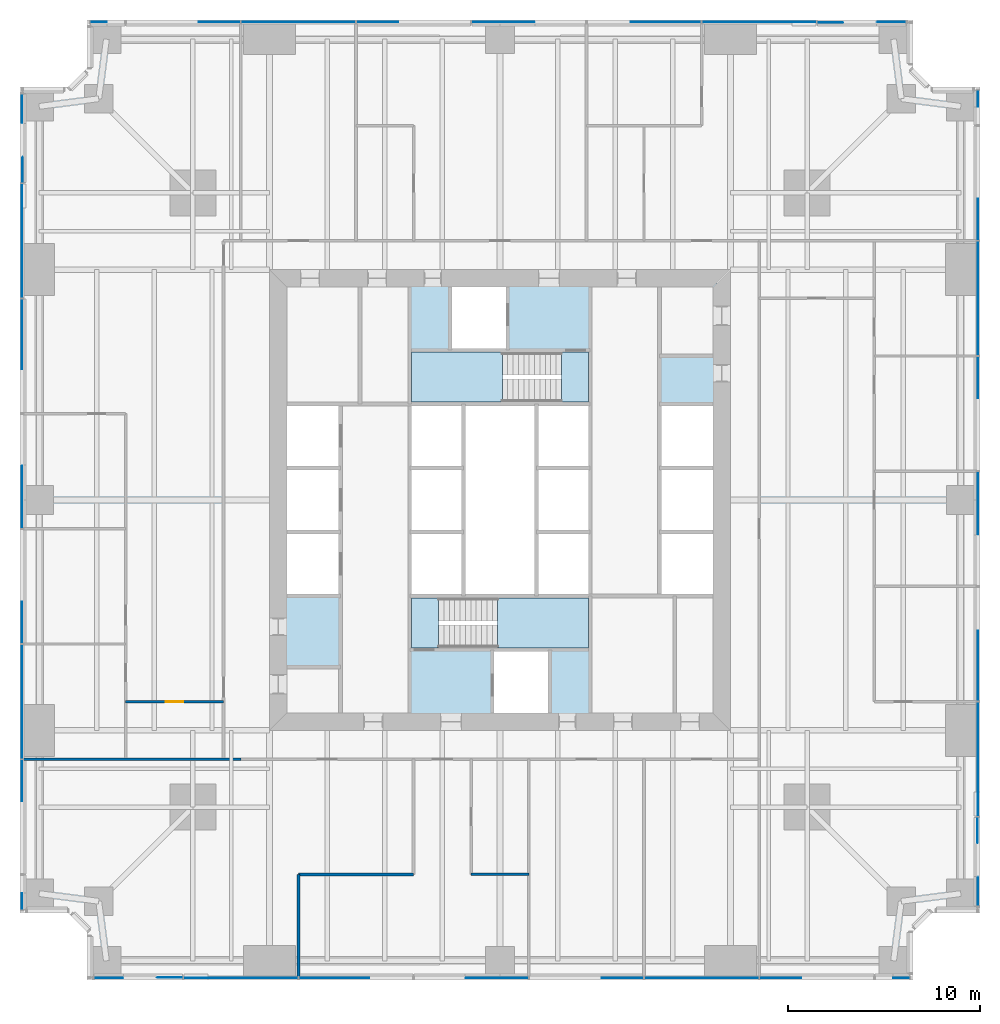
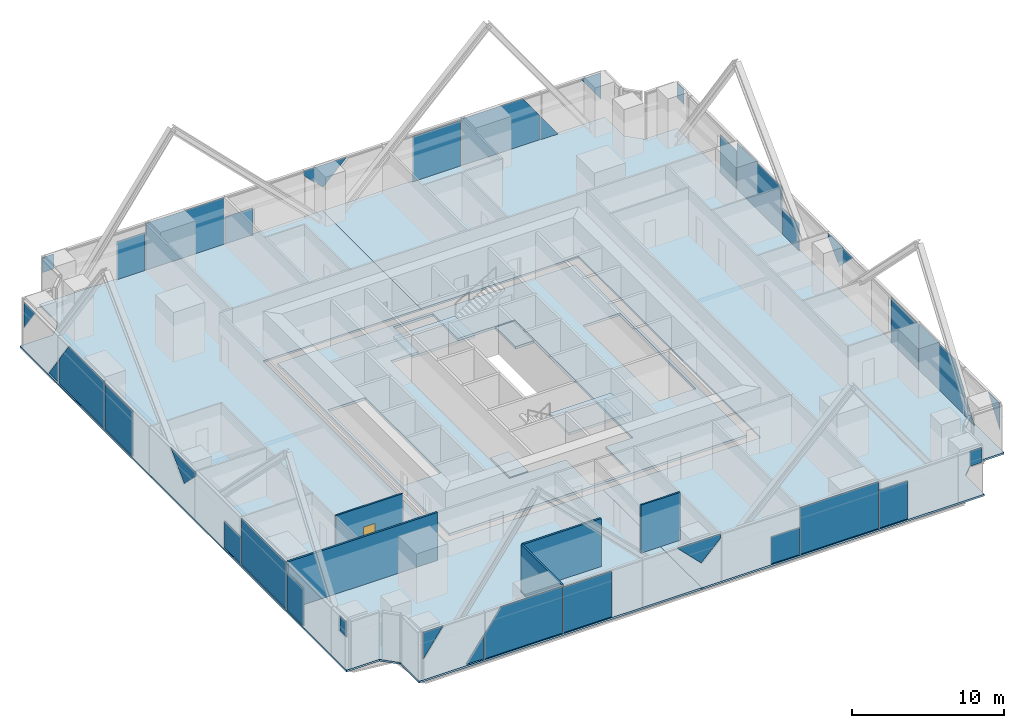
# One storey, part 8 of 13: 36 plates, 7 slabs, 5 walls, 1 door, 1 opening, 6 elements without a shape of their own.
"""IFC4 building model written with IfcOpenShell, lengths in metres."""

from ifc_helpers import new_model, si_unit, direction, frame, frame_2d, origin, origin_2d, place, context, subcontext, project, spatial, polyline, rectangle, outline, extrude, material, layer, layer_set, type_object, element, fill, aggregate, save


model = new_model("IFC4")

# Units and contexts
model_context = context("Model", 3, precision=1e-05, world=origin(), true_north=direction((0.0, 1.0)))
body_context = subcontext(model_context, "Body", "Model", "MODEL_VIEW")
ifc_project = project(units=[si_unit("LENGTHUNIT", "METRE"), si_unit("AREAUNIT", "SQUARE_METRE"), si_unit("VOLUMEUNIT", "CUBIC_METRE"), si_unit("PLANEANGLEUNIT", "RADIAN"), si_unit("MASSUNIT", "GRAM", prefix="KILO")], contexts=[model_context])

# Site, building, storey
site_placement = place(None, origin())
site = spatial("IfcSite", under=ifc_project, at=site_placement, CompositionType="ELEMENT")
building_placement = place(site_placement, origin())
building = spatial("IfcBuilding", under=site, at=building_placement, Name="Fenwick Lantern Interchange", CompositionType="ELEMENT")
storey_placement = place(building_placement, frame((0.0, 0.0, 43.0)))
storey = spatial("IfcBuildingStorey", under=building, at=storey_placement, Name="L09", CompositionType="ELEMENT", Elevation=43.0)

# Slabs
ifc_material_1 = material(Name="Concrete f'c 35 MPa", Category="concrete")
ifc_layer_1 = layer(ifc_material_1, 0.199951171875)
ifc_layer_set_1 = layer_set([ifc_layer_1], Name="CORE FLOOR SLAB 200")
slab_type_1 = type_object("IfcSlabType", Name="CORE FLOOR SLAB 200", PredefinedType="FLOOR", material=ifc_layer_set_1)
slab_1_placement = place(storey_placement, frame((0.0, 0.0, -0.199951171875)))
element("IfcSlab", 1, at=slab_1_placement, inside=storey, type_object=slab_type_1, Name="L09/SLAB/CORE", PredefinedType="FLOOR", context=body_context, shape_type="SweptSolid", body=[
    extrude(outline(polyline([(13.699951171875, 36.300048828125), (36.300048828125, 36.300048828125), (36.300048828125, 13.699951171875), (13.699951171875, 13.699951171875), (13.699951171875, 36.300048828125)]), holes=[polyline([(13.89990234375, 20.0), (16.699951171875, 20.0), (16.699951171875, 23.333251953125), (16.699951171875, 26.666748046875), (16.699951171875, 30.0), (13.89990234375, 30.0), (13.89990234375, 26.666748046875), (13.89990234375, 23.333251953125), (13.89990234375, 20.0)]), polyline([(20.300048828125, 20.0), (20.300048828125, 17.199951171875), (24.60009765625, 17.199951171875), (24.60009765625, 13.89990234375), (27.60009765625, 13.89990234375), (27.60009765625, 17.199951171875), (29.699951171875, 17.199951171875), (29.699951171875, 20.0), (29.699951171875, 23.333251953125), (29.699951171875, 26.666748046875), (29.699951171875, 30.0), (29.699951171875, 32.800048828125), (25.39990234375, 32.800048828125), (25.39990234375, 36.10009765625), (22.39990234375, 36.10009765625), (22.39990234375, 32.800048828125), (20.300048828125, 32.800048828125), (20.300048828125, 30.0), (20.300048828125, 26.666748046875), (20.300048828125, 23.333251953125), (20.300048828125, 20.0)]), polyline([(33.300048828125, 23.333251953125), (33.300048828125, 20.0), (36.10009765625, 20.0), (36.10009765625, 23.333251953125), (36.10009765625, 26.666748046875), (36.10009765625, 30.0), (33.300048828125, 30.0), (33.300048828125, 26.666748046875), (33.300048828125, 23.333251953125)])]), origin(), (0.0, 0.0, 1.0), 0.199951171875),
])
ifc_material_2 = material(Name="Concrete f'c 35 MPa", Category="concrete")
ifc_layer_2 = layer(ifc_material_2, 0.14990234375)
ifc_layer_set_2 = layer_set([ifc_layer_2], Name="Concrete f'c 35 MPa")
slab_type_2 = type_object("IfcSlabType", Name="FLOOR SLAB 150", PredefinedType="FLOOR", material=ifc_layer_set_2)
slab_2_placement = place(storey_placement, frame((0.0, 0.0, -0.14990234375)))
element("IfcSlab", 2, at=slab_2_placement, inside=storey, type_object=slab_type_2, Name="L09/SLAB/FW", PredefinedType="FLOOR", context=body_context, shape_type="SweptSolid", body=[
    extrude(outline(polyline([(3.5, 0.0), (3.5, 2.5), (2.5, 3.5), (0.0, 3.5), (0.0, 46.5), (2.5, 46.5), (3.5, 47.5), (3.5, 50.0), (25.0, 50.0), (25.0, 37.0), (13.0, 37.0), (13.0, 13.0), (25.0, 13.0), (25.0, 0.0), (3.5, 0.0)])), origin(), (0.0, 0.0, 1.0), 0.14990234375),
])
slab_3_placement = place(storey_placement, frame((0.0, 0.0, -0.14990234375)))
element("IfcSlab", 3, at=slab_3_placement, inside=storey, type_object=slab_type_2, Name="L09/SLAB/FE", PredefinedType="FLOOR", context=body_context, shape_type="SweptSolid", body=[
    extrude(outline(polyline([(46.5, 50.0), (46.5, 47.5), (47.5, 46.5), (50.0, 46.5), (50.0, 3.5), (47.5, 3.5), (46.5, 2.5), (46.5, 0.0), (25.0, 0.0), (25.0, 13.0), (37.0, 13.0), (37.0, 37.0), (25.0, 37.0), (25.0, 50.0), (46.5, 50.0)])), origin(), (0.0, 0.0, 1.0), 0.14990234375),
])

# Curtain wall, plates
ifc_material_3 = material(Name="Aluminium curtain wall frame", Category="aluminium")
curtain_wall_type = type_object("IfcCurtainWallType", Name="OFFICE CURTAIN WALL", PredefinedType="USERDEFINED", material=ifc_material_3)
curtain_wall_1_placement = place(storey_placement, origin())
curtain_wall_1 = element("IfcCurtainWall", 4, at=curtain_wall_1_placement, inside=storey, type_object=curtain_wall_type, Name="Office curtain wall 01", ObjectType="OFFICE CURTAIN WALL", PredefinedType="USERDEFINED")
ifc_material_4 = material(Name="Vision glass, clear low-iron double glazed", Category="glass")
ifc_layer_3 = layer(ifc_material_4, 0.031982421875)
ifc_layer_set_3 = layer_set([ifc_layer_3], Name="OFFICE CURTAIN WALL PANEL 32")
plate_type = type_object("IfcPlateType", Name="OFFICE CURTAIN WALL PANEL 32", PredefinedType="CURTAIN_PANEL", material=ifc_layer_set_3)
plate_1_placement = place(storey_placement, frame((3.60009765625, 0.10009765625, 1.611572265625), z_axis=(0.0, 0.0, 1.0), x_axis=(1.0, 0.0, 0.0)))
plate_1 = element("IfcPlate", 5, at=plate_1_placement, type_object=plate_type, Name="L09/CW/01/P00a", PredefinedType="CURTAIN_PANEL", context=body_context, shape_type="SweptSolid", body=[
    extrude(outline(polyline([(0.264892578125, 0.0), (1.77978515625, 2.138427734375), (0.264892578125, 2.138427734375), (0.264892578125, 0.0)])), frame((0.0, 0.01611328125, 0.0), z_axis=(0.0, -1.0, 0.0), x_axis=(1.0, 0.0, 0.0)), (0.0, 0.0, 1.0), 0.031982421875),
])
plate_2_placement = place(storey_placement, frame((3.60009765625, 0.10009765625, 0.0), z_axis=(0.0, 0.0, 1.0), x_axis=(1.0, 0.0, 0.0)))
plate_2 = element("IfcPlate", 6, at=plate_2_placement, type_object=plate_type, Name="L09/CW/01/P00b", PredefinedType="CURTAIN_PANEL", context=body_context, shape_type="SweptSolid", body=[
    extrude(outline(polyline([(3.53515625, 0.0), (4.867431640625, 0.0), (4.867431640625, 1.881103515625), (3.53515625, 0.0)])), frame((0.0, 0.0498046875, 0.0), z_axis=(0.0, -1.0, 0.0), x_axis=(1.0, 0.0, 0.0)), (0.0, 0.0, 1.0), 0.031982421875),
])
plate_3_placement = place(storey_placement, frame((3.60009765625, 0.10009765625, 0.0), z_axis=(0.0, 0.0, 1.0), x_axis=(1.0, 0.0, 0.0)))
plate_3 = element("IfcPlate", 7, at=plate_3_placement, type_object=plate_type, Name="L09/CW/01/P01a", PredefinedType="CURTAIN_PANEL", context=body_context, shape_type="SweptSolid", body=[
    extrude(outline(polyline([(4.9326171875, 0.0), (10.867431640625, 0.0), (10.867431640625, 3.75), (6.19140625, 3.75), (4.9326171875, 1.972900390625), (4.9326171875, 0.0)])), frame((0.0, 0.01611328125, 0.0), z_axis=(0.0, -1.0, 0.0), x_axis=(1.0, 0.0, 0.0)), (0.0, 0.0, 1.0), 0.031982421875),
])
plate_4_placement = place(storey_placement, frame((3.60009765625, 0.10009765625, 0.0), z_axis=(0.0, 0.0, 1.0), x_axis=(1.0, 0.0, 0.0)))
plate_4 = element("IfcPlate", 8, at=plate_4_placement, type_object=plate_type, Name="L09/CW/01/P02a", PredefinedType="CURTAIN_PANEL", context=body_context, shape_type="SweptSolid", body=[
    extrude(outline(polyline([(10.9326171875, 0.0), (14.592529296875, 0.0), (14.592529296875, 3.656005859375), (10.9326171875, 3.656005859375), (10.9326171875, 0.0)])), frame((0.0, 0.01611328125, 0.0), z_axis=(0.0, -1.0, 0.0), x_axis=(1.0, 0.0, 0.0)), (0.0, 0.0, 1.0), 0.031982421875),
])
plate_5_placement = place(storey_placement, frame((3.60009765625, 0.10009765625, 1.939697265625), z_axis=(0.0, 0.0, 1.0), x_axis=(1.0, 0.0, 0.0)))
plate_5 = element("IfcPlate", 9, at=plate_5_placement, type_object=plate_type, Name="L09/CW/01/P03a", PredefinedType="CURTAIN_PANEL", context=body_context, shape_type="SweptSolid", body=[
    extrude(outline(polyline([(21.39990234375, 0.0), (22.867431640625, 1.46728515625), (22.867431640625, 1.810302734375), (19.589599609375, 1.810302734375), (21.39990234375, 0.0)])), frame((0.0, 0.01611328125, 0.0), z_axis=(0.0, -1.0, 0.0), x_axis=(1.0, 0.0, 0.0)), (0.0, 0.0, 1.0), 0.031982421875),
])
plate_6_placement = place(storey_placement, frame((3.60009765625, 0.10009765625, 0.0), z_axis=(0.0, 0.0, 1.0), x_axis=(1.0, 0.0, 0.0)))
plate_6 = element("IfcPlate", 10, at=plate_6_placement, type_object=plate_type, Name="L09/CW/01/P04a", PredefinedType="CURTAIN_PANEL", context=body_context, shape_type="SweptSolid", body=[
    extrude(outline(polyline([(26.711669921875, 0.0), (28.867431640625, 0.0), (28.867431640625, 2.159912109375), (26.711669921875, 2.159912109375), (26.711669921875, 0.0)])), frame((0.0, 0.01611328125, 0.0), z_axis=(0.0, -1.0, 0.0), x_axis=(1.0, 0.0, 0.0)), (0.0, 0.0, 1.0), 0.031982421875),
])
plate_7_placement = place(storey_placement, frame((35.5, 0.10009765625, 0.0), z_axis=(0.0, 0.0, 1.0), x_axis=(1.0, 0.0, 0.0)))
plate_7 = element("IfcPlate", 11, at=plate_7_placement, type_object=plate_type, Name="L09/CW/01/P05", PredefinedType="CURTAIN_PANEL", context=body_context, shape_type="SweptSolid", body=[
    extrude(rectangle(XDim=5.93505859375, YDim=0.031982421875, at=origin_2d()), origin(), (0.0, 0.0, 1.0), 3.75),
])
plate_8_placement = place(storey_placement, frame((3.60009765625, 0.10009765625, 0.0), z_axis=(0.0, 0.0, 1.0), x_axis=(1.0, 0.0, 0.0)))
plate_8 = element("IfcPlate", 12, at=plate_8_placement, type_object=plate_type, Name="L09/CW/01/P06a", PredefinedType="CURTAIN_PANEL", context=body_context, shape_type="SweptSolid", body=[
    extrude(outline(polyline([(34.9326171875, 0.0), (37.097412109375, 0.0), (37.097412109375, 3.059814453125), (34.9326171875, 3.059814453125), (34.9326171875, 0.0)])), frame((0.0, 0.01611328125, 0.0), z_axis=(0.0, -1.0, 0.0), x_axis=(1.0, 0.0, 0.0)), (0.0, 0.0, 1.0), 0.031982421875),
])
plate_9_placement = place(storey_placement, frame((3.60009765625, 0.10009765625, 2.54296875), z_axis=(0.0, 0.0, 1.0), x_axis=(1.0, 0.0, 0.0)))
plate_9 = element("IfcPlate", 13, at=plate_9_placement, type_object=plate_type, Name="L09/CW/01/P07a", PredefinedType="CURTAIN_PANEL", context=body_context, shape_type="SweptSolid", body=[
    extrude(outline(polyline([(41.875244140625, 0.0), (42.735107421875, 0.0), (42.735107421875, 1.20703125), (41.875244140625, 1.20703125), (41.875244140625, 0.0)])), frame((0.0, 0.01611328125, 0.0), z_axis=(0.0, -1.0, 0.0), x_axis=(1.0, 0.0, 0.0)), (0.0, 0.0, 1.0), 0.031982421875),
])
aggregate(curtain_wall_1, [plate_1, plate_2, plate_3, plate_4, plate_5, plate_6, plate_7, plate_8, plate_9])

curtain_wall_2_placement = place(storey_placement, origin())
curtain_wall_2 = element("IfcCurtainWall", 14, at=curtain_wall_2_placement, inside=storey, type_object=curtain_wall_type, Name="Office curtain wall 05", ObjectType="OFFICE CURTAIN WALL", PredefinedType="USERDEFINED")
plate_10_placement = place(storey_placement, frame((49.89990234375, 3.60009765625, 1.611572265625), z_axis=(0.0, 0.0, 1.0), x_axis=(0.0, 1.0, 0.0)))
plate_10 = element("IfcPlate", 15, at=plate_10_placement, type_object=plate_type, Name="L09/CW/05/P00a", PredefinedType="CURTAIN_PANEL", context=body_context, shape_type="SweptSolid", body=[
    extrude(outline(polyline([(0.264892578125, 0.0), (1.77978515625, 2.138427734375), (0.264892578125, 2.138427734375), (0.264892578125, 0.0)])), frame((0.0, 0.01611328125, 0.0), z_axis=(0.0, -1.0, 0.0), x_axis=(1.0, 0.0, 0.0)), (0.0, 0.0, 1.0), 0.031982421875),
])
plate_11_placement = place(storey_placement, frame((49.89990234375, 3.60009765625, 0.0), z_axis=(0.0, 0.0, 1.0), x_axis=(0.0, 1.0, 0.0)))
plate_11 = element("IfcPlate", 16, at=plate_11_placement, type_object=plate_type, Name="L09/CW/05/P00b", PredefinedType="CURTAIN_PANEL", context=body_context, shape_type="SweptSolid", body=[
    extrude(outline(polyline([(3.53515625, 0.0), (4.867431640625, 0.0), (4.867431640625, 1.881103515625), (3.53515625, 0.0)])), frame((0.0, 0.0498046875, 0.0), z_axis=(0.0, -1.0, 0.0), x_axis=(1.0, 0.0, 0.0)), (0.0, 0.0, 1.0), 0.031982421875),
])
plate_12_placement = place(storey_placement, frame((49.89990234375, 3.60009765625, 0.0), z_axis=(0.0, 0.0, 1.0), x_axis=(0.0, 1.0, 0.0)))
plate_12 = element("IfcPlate", 17, at=plate_12_placement, type_object=plate_type, Name="L09/CW/05/P01a", PredefinedType="CURTAIN_PANEL", context=body_context, shape_type="SweptSolid", body=[
    extrude(outline(polyline([(4.9326171875, 0.0), (10.867431640625, 0.0), (10.867431640625, 3.75), (6.19140625, 3.75), (4.9326171875, 1.972900390625), (4.9326171875, 0.0)])), frame((0.0, 0.01611328125, 0.0), z_axis=(0.0, -1.0, 0.0), x_axis=(1.0, 0.0, 0.0)), (0.0, 0.0, 1.0), 0.031982421875),
])
plate_13_placement = place(storey_placement, frame((49.89990234375, 3.60009765625, 0.0), z_axis=(0.0, 0.0, 1.0), x_axis=(0.0, 1.0, 0.0)))
plate_13 = element("IfcPlate", 18, at=plate_13_placement, type_object=plate_type, Name="L09/CW/05/P02a", PredefinedType="CURTAIN_PANEL", context=body_context, shape_type="SweptSolid", body=[
    extrude(outline(polyline([(10.9326171875, 0.0), (14.592529296875, 0.0), (14.592529296875, 3.656005859375), (10.9326171875, 3.656005859375), (10.9326171875, 0.0)])), frame((0.0, 0.01611328125, 0.0), z_axis=(0.0, -1.0, 0.0), x_axis=(1.0, 0.0, 0.0)), (0.0, 0.0, 1.0), 0.031982421875),
])
plate_14_placement = place(storey_placement, frame((49.89990234375, 3.60009765625, 1.939697265625), z_axis=(0.0, 0.0, 1.0), x_axis=(0.0, 1.0, 0.0)))
plate_14 = element("IfcPlate", 19, at=plate_14_placement, type_object=plate_type, Name="L09/CW/05/P03a", PredefinedType="CURTAIN_PANEL", context=body_context, shape_type="SweptSolid", body=[
    extrude(outline(polyline([(21.39990234375, 0.0), (22.867431640625, 1.46728515625), (22.867431640625, 1.810302734375), (19.589599609375, 1.810302734375), (21.39990234375, 0.0)])), frame((0.0, 0.01611328125, 0.0), z_axis=(0.0, -1.0, 0.0), x_axis=(1.0, 0.0, 0.0)), (0.0, 0.0, 1.0), 0.031982421875),
])
plate_15_placement = place(storey_placement, frame((49.89990234375, 3.60009765625, 0.0), z_axis=(0.0, 0.0, 1.0), x_axis=(0.0, 1.0, 0.0)))
plate_15 = element("IfcPlate", 20, at=plate_15_placement, type_object=plate_type, Name="L09/CW/05/P04a", PredefinedType="CURTAIN_PANEL", context=body_context, shape_type="SweptSolid", body=[
    extrude(outline(polyline([(26.711669921875, 0.0), (28.867431640625, 0.0), (28.867431640625, 2.159912109375), (26.711669921875, 2.159912109375), (26.711669921875, 0.0)])), frame((0.0, 0.01611328125, 0.0), z_axis=(0.0, -1.0, 0.0), x_axis=(1.0, 0.0, 0.0)), (0.0, 0.0, 1.0), 0.031982421875),
])
plate_16_placement = place(storey_placement, frame((49.89990234375, 35.5, 0.0), z_axis=(0.0, 0.0, 1.0), x_axis=(0.0, 1.0, 0.0)))
plate_16 = element("IfcPlate", 21, at=plate_16_placement, type_object=plate_type, Name="L09/CW/05/P05", PredefinedType="CURTAIN_PANEL", context=body_context, shape_type="SweptSolid", body=[
    extrude(rectangle(XDim=5.93505859375, YDim=0.031982421875, at=origin_2d()), origin(), (0.0, 0.0, 1.0), 3.75),
])
plate_17_placement = place(storey_placement, frame((49.89990234375, 3.60009765625, 0.0), z_axis=(0.0, 0.0, 1.0), x_axis=(0.0, 1.0, 0.0)))
plate_17 = element("IfcPlate", 22, at=plate_17_placement, type_object=plate_type, Name="L09/CW/05/P06a", PredefinedType="CURTAIN_PANEL", context=body_context, shape_type="SweptSolid", body=[
    extrude(outline(polyline([(34.9326171875, 0.0), (37.097412109375, 0.0), (37.097412109375, 3.059814453125), (34.9326171875, 3.059814453125), (34.9326171875, 0.0)])), frame((0.0, 0.01611328125, 0.0), z_axis=(0.0, -1.0, 0.0), x_axis=(1.0, 0.0, 0.0)), (0.0, 0.0, 1.0), 0.031982421875),
])
plate_18_placement = place(storey_placement, frame((49.89990234375, 3.60009765625, 2.54296875), z_axis=(0.0, 0.0, 1.0), x_axis=(0.0, 1.0, 0.0)))
plate_18 = element("IfcPlate", 23, at=plate_18_placement, type_object=plate_type, Name="L09/CW/05/P07a", PredefinedType="CURTAIN_PANEL", context=body_context, shape_type="SweptSolid", body=[
    extrude(outline(polyline([(41.875244140625, 0.0), (42.735107421875, 0.0), (42.735107421875, 1.20703125), (41.875244140625, 1.20703125), (41.875244140625, 0.0)])), frame((0.0, 0.01611328125, 0.0), z_axis=(0.0, -1.0, 0.0), x_axis=(1.0, 0.0, 0.0)), (0.0, 0.0, 1.0), 0.031982421875),
])
aggregate(curtain_wall_2, [plate_10, plate_11, plate_12, plate_13, plate_14, plate_15, plate_16, plate_17, plate_18])

curtain_wall_3_placement = place(storey_placement, origin())
curtain_wall_3 = element("IfcCurtainWall", 24, at=curtain_wall_3_placement, inside=storey, type_object=curtain_wall_type, Name="Office curtain wall 09", ObjectType="OFFICE CURTAIN WALL", PredefinedType="USERDEFINED")
plate_19_placement = place(storey_placement, frame((46.39990234375, 49.89990234375, 1.611572265625), z_axis=(0.0, 0.0, 1.0), x_axis=(-1.0, 0.0, 0.0)))
plate_19 = element("IfcPlate", 25, at=plate_19_placement, type_object=plate_type, Name="L09/CW/09/P00a", PredefinedType="CURTAIN_PANEL", context=body_context, shape_type="SweptSolid", body=[
    extrude(outline(polyline([(0.264892578125, 0.0), (1.77978515625, 2.138427734375), (0.264892578125, 2.138427734375), (0.264892578125, 0.0)])), frame((0.0, 0.01611328125, 0.0), z_axis=(0.0, -1.0, 0.0), x_axis=(1.0, 0.0, 0.0)), (0.0, 0.0, 1.0), 0.031982421875),
])
plate_20_placement = place(storey_placement, frame((46.39990234375, 49.89990234375, 0.0), z_axis=(0.0, 0.0, 1.0), x_axis=(-1.0, 0.0, 0.0)))
plate_20 = element("IfcPlate", 26, at=plate_20_placement, type_object=plate_type, Name="L09/CW/09/P00b", PredefinedType="CURTAIN_PANEL", context=body_context, shape_type="SweptSolid", body=[
    extrude(outline(polyline([(3.53515625, 0.0), (4.867431640625, 0.0), (4.867431640625, 1.881103515625), (3.53515625, 0.0)])), frame((0.0, 0.0498046875, 0.0), z_axis=(0.0, -1.0, 0.0), x_axis=(1.0, 0.0, 0.0)), (0.0, 0.0, 1.0), 0.031982421875),
])
plate_21_placement = place(storey_placement, frame((46.39990234375, 49.89990234375, 0.0), z_axis=(0.0, 0.0, 1.0), x_axis=(-1.0, 0.0, 0.0)))
plate_21 = element("IfcPlate", 27, at=plate_21_placement, type_object=plate_type, Name="L09/CW/09/P01a", PredefinedType="CURTAIN_PANEL", context=body_context, shape_type="SweptSolid", body=[
    extrude(outline(polyline([(4.9326171875, 0.0), (10.867431640625, 0.0), (10.867431640625, 3.75), (6.19140625, 3.75), (4.9326171875, 1.972900390625), (4.9326171875, 0.0)])), frame((0.0, 0.01611328125, 0.0), z_axis=(0.0, -1.0, 0.0), x_axis=(1.0, 0.0, 0.0)), (0.0, 0.0, 1.0), 0.031982421875),
])
plate_22_placement = place(storey_placement, frame((46.39990234375, 49.89990234375, 0.0), z_axis=(0.0, 0.0, 1.0), x_axis=(-1.0, 0.0, 0.0)))
plate_22 = element("IfcPlate", 28, at=plate_22_placement, type_object=plate_type, Name="L09/CW/09/P02a", PredefinedType="CURTAIN_PANEL", context=body_context, shape_type="SweptSolid", body=[
    extrude(outline(polyline([(10.9326171875, 0.0), (14.592529296875, 0.0), (14.592529296875, 3.656005859375), (10.9326171875, 3.656005859375), (10.9326171875, 0.0)])), frame((0.0, 0.01611328125, 0.0), z_axis=(0.0, -1.0, 0.0), x_axis=(1.0, 0.0, 0.0)), (0.0, 0.0, 1.0), 0.031982421875),
])
plate_23_placement = place(storey_placement, frame((46.39990234375, 49.89990234375, 1.939697265625), z_axis=(0.0, 0.0, 1.0), x_axis=(-1.0, 0.0, 0.0)))
plate_23 = element("IfcPlate", 29, at=plate_23_placement, type_object=plate_type, Name="L09/CW/09/P03a", PredefinedType="CURTAIN_PANEL", context=body_context, shape_type="SweptSolid", body=[
    extrude(outline(polyline([(21.39990234375, 0.0), (22.867431640625, 1.46728515625), (22.867431640625, 1.810302734375), (19.589599609375, 1.810302734375), (21.39990234375, 0.0)])), frame((0.0, 0.01611328125, 0.0), z_axis=(0.0, -1.0, 0.0), x_axis=(1.0, 0.0, 0.0)), (0.0, 0.0, 1.0), 0.031982421875),
])
plate_24_placement = place(storey_placement, frame((46.39990234375, 49.89990234375, 0.0), z_axis=(0.0, 0.0, 1.0), x_axis=(-1.0, 0.0, 0.0)))
plate_24 = element("IfcPlate", 30, at=plate_24_placement, type_object=plate_type, Name="L09/CW/09/P04a", PredefinedType="CURTAIN_PANEL", context=body_context, shape_type="SweptSolid", body=[
    extrude(outline(polyline([(26.711669921875, 0.0), (28.867431640625, 0.0), (28.867431640625, 2.159912109375), (26.711669921875, 2.159912109375), (26.711669921875, 0.0)])), frame((0.0, 0.01611328125, 0.0), z_axis=(0.0, -1.0, 0.0), x_axis=(1.0, 0.0, 0.0)), (0.0, 0.0, 1.0), 0.031982421875),
])
plate_25_placement = place(storey_placement, frame((14.5, 49.89990234375, 0.0), z_axis=(0.0, 0.0, 1.0), x_axis=(-1.0, 0.0, 0.0)))
plate_25 = element("IfcPlate", 31, at=plate_25_placement, type_object=plate_type, Name="L09/CW/09/P05", PredefinedType="CURTAIN_PANEL", context=body_context, shape_type="SweptSolid", body=[
    extrude(rectangle(XDim=5.93505859375, YDim=0.031982421875, at=origin_2d()), origin(), (0.0, 0.0, 1.0), 3.75),
])
plate_26_placement = place(storey_placement, frame((46.39990234375, 49.89990234375, 0.0), z_axis=(0.0, 0.0, 1.0), x_axis=(-1.0, 0.0, 0.0)))
plate_26 = element("IfcPlate", 32, at=plate_26_placement, type_object=plate_type, Name="L09/CW/09/P06a", PredefinedType="CURTAIN_PANEL", context=body_context, shape_type="SweptSolid", body=[
    extrude(outline(polyline([(34.9326171875, 0.0), (37.097412109375, 0.0), (37.097412109375, 3.059814453125), (34.9326171875, 3.059814453125), (34.9326171875, 0.0)])), frame((0.0, 0.01611328125, 0.0), z_axis=(0.0, -1.0, 0.0), x_axis=(1.0, 0.0, 0.0)), (0.0, 0.0, 1.0), 0.031982421875),
])
plate_27_placement = place(storey_placement, frame((46.39990234375, 49.89990234375, 2.54296875), z_axis=(0.0, 0.0, 1.0), x_axis=(-1.0, 0.0, 0.0)))
plate_27 = element("IfcPlate", 33, at=plate_27_placement, type_object=plate_type, Name="L09/CW/09/P07a", PredefinedType="CURTAIN_PANEL", context=body_context, shape_type="SweptSolid", body=[
    extrude(outline(polyline([(41.875244140625, 0.0), (42.735107421875, 0.0), (42.735107421875, 1.20703125), (41.875244140625, 1.20703125), (41.875244140625, 0.0)])), frame((0.0, 0.01611328125, 0.0), z_axis=(0.0, -1.0, 0.0), x_axis=(1.0, 0.0, 0.0)), (0.0, 0.0, 1.0), 0.031982421875),
])
aggregate(curtain_wall_3, [plate_19, plate_20, plate_21, plate_22, plate_23, plate_24, plate_25, plate_26, plate_27])

curtain_wall_4_placement = place(storey_placement, origin())
curtain_wall_4 = element("IfcCurtainWall", 34, at=curtain_wall_4_placement, inside=storey, type_object=curtain_wall_type, Name="Office curtain wall 13", ObjectType="OFFICE CURTAIN WALL", PredefinedType="USERDEFINED")
plate_28_placement = place(storey_placement, frame((0.10009765625, 46.39990234375, 1.611572265625), z_axis=(0.0, 0.0, 1.0), x_axis=(0.0, -1.0, 0.0)))
plate_28 = element("IfcPlate", 35, at=plate_28_placement, type_object=plate_type, Name="L09/CW/13/P00a", PredefinedType="CURTAIN_PANEL", context=body_context, shape_type="SweptSolid", body=[
    extrude(outline(polyline([(0.264892578125, 0.0), (1.77978515625, 2.138427734375), (0.264892578125, 2.138427734375), (0.264892578125, 0.0)])), frame((0.0, 0.01611328125, 0.0), z_axis=(0.0, -1.0, 0.0), x_axis=(1.0, 0.0, 0.0)), (0.0, 0.0, 1.0), 0.031982421875),
])
plate_29_placement = place(storey_placement, frame((0.10009765625, 46.39990234375, 0.0), z_axis=(0.0, 0.0, 1.0), x_axis=(0.0, -1.0, 0.0)))
plate_29 = element("IfcPlate", 36, at=plate_29_placement, type_object=plate_type, Name="L09/CW/13/P00b", PredefinedType="CURTAIN_PANEL", context=body_context, shape_type="SweptSolid", body=[
    extrude(outline(polyline([(3.53515625, 0.0), (4.867431640625, 0.0), (4.867431640625, 1.881103515625), (3.53515625, 0.0)])), frame((0.0, 0.0498046875, 0.0), z_axis=(0.0, -1.0, 0.0), x_axis=(1.0, 0.0, 0.0)), (0.0, 0.0, 1.0), 0.031982421875),
])
plate_30_placement = place(storey_placement, frame((0.10009765625, 46.39990234375, 0.0), z_axis=(0.0, 0.0, 1.0), x_axis=(0.0, -1.0, 0.0)))
plate_30 = element("IfcPlate", 37, at=plate_30_placement, type_object=plate_type, Name="L09/CW/13/P01a", PredefinedType="CURTAIN_PANEL", context=body_context, shape_type="SweptSolid", body=[
    extrude(outline(polyline([(4.9326171875, 0.0), (10.867431640625, 0.0), (10.867431640625, 3.75), (6.19140625, 3.75), (4.9326171875, 1.972900390625), (4.9326171875, 0.0)])), frame((0.0, 0.01611328125, 0.0), z_axis=(0.0, -1.0, 0.0), x_axis=(1.0, 0.0, 0.0)), (0.0, 0.0, 1.0), 0.031982421875),
])
plate_31_placement = place(storey_placement, frame((0.10009765625, 46.39990234375, 0.0), z_axis=(0.0, 0.0, 1.0), x_axis=(0.0, -1.0, 0.0)))
plate_31 = element("IfcPlate", 38, at=plate_31_placement, type_object=plate_type, Name="L09/CW/13/P02a", PredefinedType="CURTAIN_PANEL", context=body_context, shape_type="SweptSolid", body=[
    extrude(outline(polyline([(10.9326171875, 0.0), (14.592529296875, 0.0), (14.592529296875, 3.656005859375), (10.9326171875, 3.656005859375), (10.9326171875, 0.0)])), frame((0.0, 0.01611328125, 0.0), z_axis=(0.0, -1.0, 0.0), x_axis=(1.0, 0.0, 0.0)), (0.0, 0.0, 1.0), 0.031982421875),
])
plate_32_placement = place(storey_placement, frame((0.10009765625, 46.39990234375, 1.939697265625), z_axis=(0.0, 0.0, 1.0), x_axis=(0.0, -1.0, 0.0)))
plate_32 = element("IfcPlate", 39, at=plate_32_placement, type_object=plate_type, Name="L09/CW/13/P03a", PredefinedType="CURTAIN_PANEL", context=body_context, shape_type="SweptSolid", body=[
    extrude(outline(polyline([(21.39990234375, 0.0), (22.867431640625, 1.46728515625), (22.867431640625, 1.810302734375), (19.589599609375, 1.810302734375), (21.39990234375, 0.0)])), frame((0.0, 0.01611328125, 0.0), z_axis=(0.0, -1.0, 0.0), x_axis=(1.0, 0.0, 0.0)), (0.0, 0.0, 1.0), 0.031982421875),
])
plate_33_placement = place(storey_placement, frame((0.10009765625, 46.39990234375, 0.0), z_axis=(0.0, 0.0, 1.0), x_axis=(0.0, -1.0, 0.0)))
plate_33 = element("IfcPlate", 40, at=plate_33_placement, type_object=plate_type, Name="L09/CW/13/P04a", PredefinedType="CURTAIN_PANEL", context=body_context, shape_type="SweptSolid", body=[
    extrude(outline(polyline([(26.711669921875, 0.0), (28.867431640625, 0.0), (28.867431640625, 2.159912109375), (26.711669921875, 2.159912109375), (26.711669921875, 0.0)])), frame((0.0, 0.01611328125, 0.0), z_axis=(0.0, -1.0, 0.0), x_axis=(1.0, 0.0, 0.0)), (0.0, 0.0, 1.0), 0.031982421875),
])
plate_34_placement = place(storey_placement, frame((0.10009765625, 14.5, 0.0), z_axis=(0.0, 0.0, 1.0), x_axis=(0.0, -1.0, 0.0)))
plate_34 = element("IfcPlate", 41, at=plate_34_placement, type_object=plate_type, Name="L09/CW/13/P05", PredefinedType="CURTAIN_PANEL", context=body_context, shape_type="SweptSolid", body=[
    extrude(rectangle(XDim=5.93505859375, YDim=0.031982421875, at=origin_2d()), origin(), (0.0, 0.0, 1.0), 3.75),
])
plate_35_placement = place(storey_placement, frame((0.10009765625, 46.39990234375, 0.0), z_axis=(0.0, 0.0, 1.0), x_axis=(0.0, -1.0, 0.0)))
plate_35 = element("IfcPlate", 42, at=plate_35_placement, type_object=plate_type, Name="L09/CW/13/P06a", PredefinedType="CURTAIN_PANEL", context=body_context, shape_type="SweptSolid", body=[
    extrude(outline(polyline([(34.9326171875, 0.0), (37.097412109375, 0.0), (37.097412109375, 3.059814453125), (34.9326171875, 3.059814453125), (34.9326171875, 0.0)])), frame((0.0, 0.01611328125, 0.0), z_axis=(0.0, -1.0, 0.0), x_axis=(1.0, 0.0, 0.0)), (0.0, 0.0, 1.0), 0.031982421875),
])
plate_36_placement = place(storey_placement, frame((0.10009765625, 46.39990234375, 2.54296875), z_axis=(0.0, 0.0, 1.0), x_axis=(0.0, -1.0, 0.0)))
plate_36 = element("IfcPlate", 43, at=plate_36_placement, type_object=plate_type, Name="L09/CW/13/P07a", PredefinedType="CURTAIN_PANEL", context=body_context, shape_type="SweptSolid", body=[
    extrude(outline(polyline([(41.875244140625, 0.0), (42.735107421875, 0.0), (42.735107421875, 1.20703125), (41.875244140625, 1.20703125), (41.875244140625, 0.0)])), frame((0.0, 0.01611328125, 0.0), z_axis=(0.0, -1.0, 0.0), x_axis=(1.0, 0.0, 0.0)), (0.0, 0.0, 1.0), 0.031982421875),
])
aggregate(curtain_wall_4, [plate_28, plate_29, plate_30, plate_31, plate_32, plate_33, plate_34, plate_35, plate_36])

# Stair, slabs
ifc_material_5 = material(Name="Precast concrete f'c 35 MPa", Category="concrete")
stair_type = type_object("IfcStairType", Name="EXIT STAIR 1200", PredefinedType="HALF_TURN_STAIR", material=ifc_material_5)
stair_1_placement = place(storey_placement, origin())
stair_1 = element("IfcStair", 44, at=stair_1_placement, inside=storey, type_object=stair_type, Name="Exit stair ST1", PredefinedType="HALF_TURN_STAIR")
ifc_layer_4 = layer(ifc_material_1, 0.199951171875)
ifc_layer_set_4 = layer_set([ifc_layer_4], Name="STAIR LANDING 200")
slab_type_3 = type_object("IfcSlabType", Name="STAIR LANDING 200", PredefinedType="LANDING", material=ifc_layer_set_4)
slab_4_placement = place(storey_placement, frame((0.0, 0.0, 1.800048828125)))
slab_4 = element("IfcSlab", 45, at=slab_4_placement, type_object=slab_type_3, Name="ST1 landing 1", PredefinedType="LANDING", context=body_context, shape_type="SweptSolid", body=[
    extrude(outline(polyline([(24.8798828125, 17.300048828125), (29.60009765625, 17.300048828125), (29.60009765625, 19.89990234375), (24.8798828125, 19.89990234375), (24.8798828125, 17.300048828125)])), origin(), (0.0, 0.0, 1.0), 0.199951171875),
])
slab_5_placement = place(storey_placement, frame((0.0, 0.0, -0.199951171875)))
slab_5 = element("IfcSlab", 46, at=slab_5_placement, type_object=slab_type_3, Name="ST1 landing 2", PredefinedType="LANDING", context=body_context, shape_type="SweptSolid", body=[
    extrude(outline(polyline([(20.39990234375, 17.300048828125), (21.800048828125, 17.300048828125), (21.800048828125, 19.89990234375), (20.39990234375, 19.89990234375), (20.39990234375, 17.300048828125)])), origin(), (0.0, 0.0, 1.0), 0.199951171875),
])
aggregate(stair_1, [slab_4, slab_5])

stair_2_placement = place(storey_placement, origin())
stair_2 = element("IfcStair", 47, at=stair_2_placement, inside=storey, type_object=stair_type, Name="Exit stair ST2", PredefinedType="HALF_TURN_STAIR")
slab_6_placement = place(storey_placement, frame((0.0, 0.0, 1.800048828125)))
slab_6 = element("IfcSlab", 48, at=slab_6_placement, type_object=slab_type_3, Name="ST2 landing 1", PredefinedType="LANDING", context=body_context, shape_type="SweptSolid", body=[
    extrude(outline(polyline([(25.1201171875, 32.699951171875), (20.39990234375, 32.699951171875), (20.39990234375, 30.10009765625), (25.1201171875, 30.10009765625), (25.1201171875, 32.699951171875)])), origin(), (0.0, 0.0, 1.0), 0.199951171875),
])
slab_7_placement = place(storey_placement, frame((0.0, 0.0, -0.199951171875)))
slab_7 = element("IfcSlab", 49, at=slab_7_placement, type_object=slab_type_3, Name="ST2 landing 2", PredefinedType="LANDING", context=body_context, shape_type="SweptSolid", body=[
    extrude(outline(polyline([(29.60009765625, 32.699951171875), (28.199951171875, 32.699951171875), (28.199951171875, 30.10009765625), (29.60009765625, 30.10009765625), (29.60009765625, 32.699951171875)])), origin(), (0.0, 0.0, 1.0), 0.199951171875),
])
aggregate(stair_2, [slab_6, slab_7])

# Wall
ifc_material_6 = material(Name="Gypsum board on steel studs, acoustic", Category="steel")
ifc_layer_5 = layer(ifc_material_6, 0.125)
ifc_layer_set_5 = layer_set([ifc_layer_5], Name="OFFICE PARTITION 125")
wall_type_1 = type_object("IfcWallType", Name="OFFICE PARTITION 125", PredefinedType="PARTITIONING", material=ifc_layer_set_5)
wall_1_placement = place(storey_placement, frame((23.5, 5.5, 0.0), z_axis=(0.0, 0.0, 1.0), x_axis=(1.0, 0.0, 0.0)))
element("IfcWall", 50, at=wall_1_placement, inside=storey, type_object=wall_type_1, Name="L09/W/OFF/S/Y55-2", PredefinedType="PARTITIONING", context=body_context, shape_type="SweptSolid", body=[
    extrude(rectangle(XDim=3.0, YDim=0.125, at=frame_2d((1.5, 0.0))), origin(), (0.0, 0.0, 1.0), 3.85009765625),
])

# Wall, opening, door
wall_2_placement = place(storey_placement, frame((5.5, 14.5, 0.0), z_axis=(0.0, 0.0, 1.0), x_axis=(1.0, 0.0, 0.0)))
wall_2 = element("IfcWall", 51, at=wall_2_placement, inside=storey, type_object=wall_type_1, Name="L09/W/OFF/W/X355-1", PredefinedType="PARTITIONING", context=body_context, shape_type="SweptSolid", body=[
    extrude(rectangle(XDim=5.10009765625, YDim=0.125, at=frame_2d((2.550048828125, 0.0))), origin(), (0.0, 0.0, 1.0), 3.85009765625),
])
opening_placement = place(wall_2_placement, frame((2.10009765625, 0.0, 0.0)))
opening = element("IfcOpeningElement", 52, at=opening_placement, cuts=wall_2, Name="Opening L09-D039", PredefinedType="OPENING", context=body_context, shape_type="SweptSolid", body=[
    extrude(rectangle(XDim=0.89990234375, YDim=2.199951171875, at=frame_2d((0.449951171875, 1.10009765625))), frame((0.0, 0.072509765625, 0.0), z_axis=(0.0, -1.0, 0.0), x_axis=(1.0, 0.0, 0.0)), (0.0, 0.0, 1.0), 0.14501953125),
])
ifc_material_7 = material(Name="Hardwood door and steel frame", Category="steel")
door_type = type_object("IfcDoorType", Name="OFFICE DOOR 900 X 2200", OperationType="SINGLE_SWING_LEFT", PredefinedType="DOOR", material=ifc_material_7)
door_placement = place(opening_placement, frame((0.89990234375, 0.0, 0.0), z_axis=(0.0, 0.0, 1.0), x_axis=(-1.0, 0.0, 0.0)))
door = element("IfcDoor", 53, at=door_placement, inside=storey, type_object=door_type, Name="Office door", OperationType="SINGLE_SWING_RIGHT", OverallHeight=2.199951171875, OverallWidth=0.89990234375, PredefinedType="DOOR", context=body_context, shape_type="SweptSolid", body=[
    extrude(rectangle(XDim=0.89990234375, YDim=2.199951171875, at=frame_2d((0.449951171875, 1.10009765625))), frame((0.0, 0.02490234375, 0.0), z_axis=(0.0, -1.0, 0.0), x_axis=(1.0, 0.0, 0.0)), (0.0, 0.0, 1.0), 0.050048828125),
])
fill(opening, door)

# Walls
ifc_material_8 = material(Name="Gypsum board on steel studs, 1 hour acoustic", Category="steel")
ifc_layer_6 = layer(ifc_material_8, 0.14990234375)
ifc_layer_set_6 = layer_set([ifc_layer_6], Name="TENANT WALL 150")
wall_type_2 = type_object("IfcWallType", Name="TENANT WALL 150", PredefinedType="PARTITIONING", material=ifc_layer_set_6)
wall_3_placement = place(storey_placement, frame((0.14990234375, 11.5, 0.0), z_axis=(0.0, 0.0, 1.0), x_axis=(1.0, 0.0, 0.0)))
element("IfcWall", 54, at=wall_3_placement, inside=storey, type_object=wall_type_2, Name="L09/W/OFF/S/BACK", PredefinedType="PARTITIONING", context=body_context, shape_type="SweptSolid", body=[
    extrude(rectangle(XDim=11.35009765625, YDim=0.14990234375, at=frame_2d((5.675048828125, 0.0))), origin(), (0.0, 0.0, 1.0), 3.85009765625),
])
wall_4_placement = place(storey_placement, frame((14.5, 0.14990234375, 0.0), z_axis=(0.0, 0.0, 1.0), x_axis=(0.0, 1.0, 0.0)))
element("IfcWall", 55, at=wall_4_placement, inside=storey, type_object=wall_type_2, Name="L09/W/OFF/S/X145-1", PredefinedType="PARTITIONING", context=body_context, shape_type="SweptSolid", body=[
    extrude(rectangle(XDim=5.35009765625, YDim=0.14990234375, at=frame_2d((2.675048828125, 0.0))), origin(), (0.0, 0.0, 1.0), 3.85009765625),
])
wall_5_placement = place(storey_placement, frame((14.5, 5.5, 0.0), z_axis=(0.0, 0.0, 1.0), x_axis=(1.0, 0.0, 0.0)))
element("IfcWall", 56, at=wall_5_placement, inside=storey, type_object=wall_type_2, Name="L09/W/OFF/S/Y55-1", PredefinedType="PARTITIONING", context=body_context, shape_type="SweptSolid", body=[
    extrude(rectangle(XDim=6.0, YDim=0.14990234375, at=frame_2d((3.0, 0.0))), origin(), (0.0, 0.0, 1.0), 3.85009765625),
])

save(model, "model.ifc")
